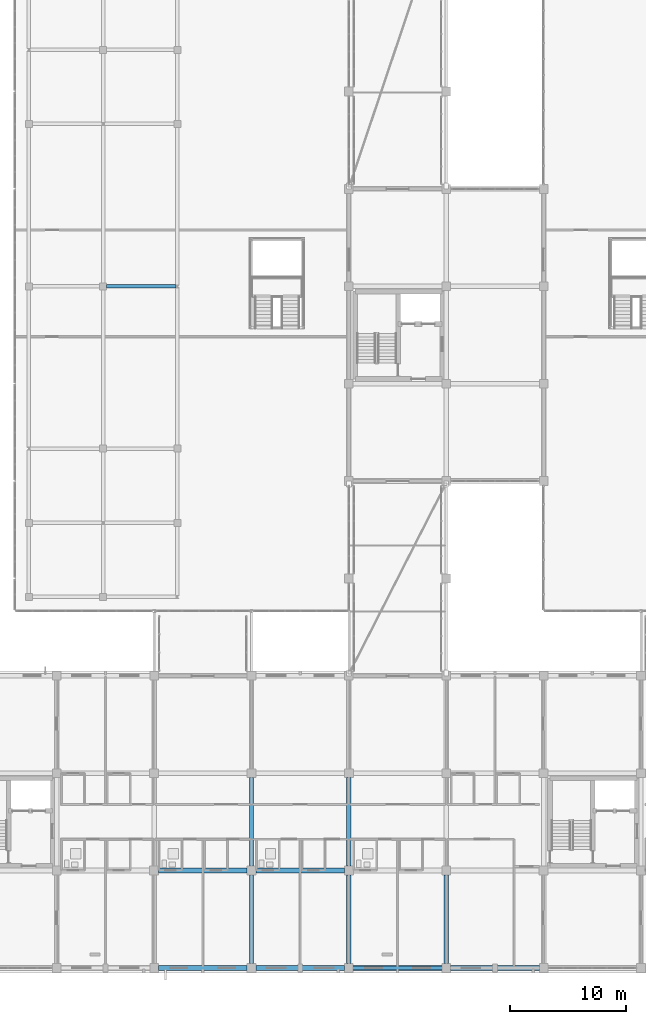
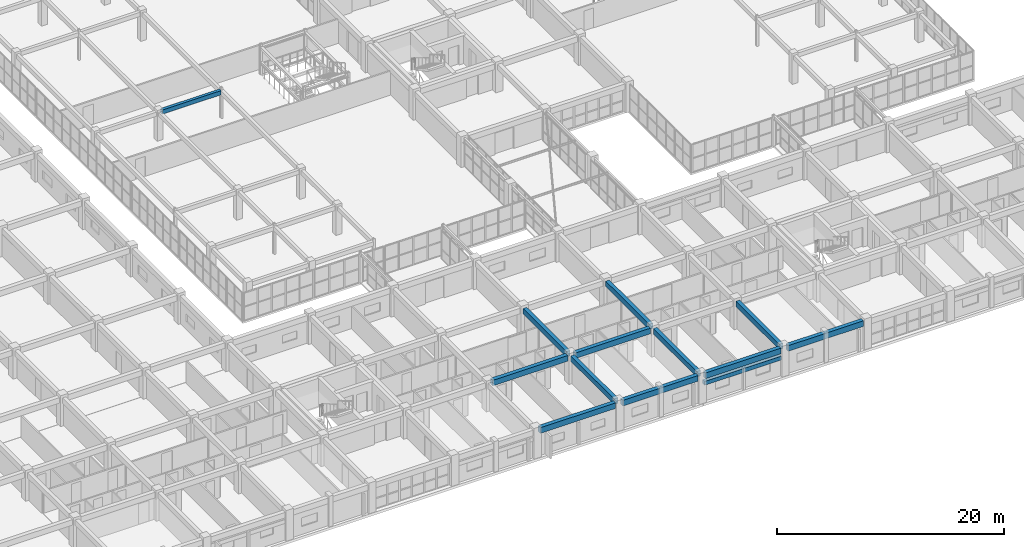
# One storey, part 44 of 200: 13 beams.
"""IFC4 building model written with IfcOpenShell, lengths in metres."""

from ifc_helpers import new_model, si_unit, direction, frame, origin, origin_2d, place, context, subcontext, project, spatial, rectangle, extrude, material, material_profile, profile_set, type_object, element, save


model = new_model("IFC4")

# Units and contexts
model_context = context("Model", 3, precision=1e-05, world=origin(), true_north=direction((0.0, 1.0)))
body_context = subcontext(model_context, "Body", "Model", "MODEL_VIEW")
ifc_project = project(units=[si_unit("LENGTHUNIT", "METRE"), si_unit("AREAUNIT", "SQUARE_METRE"), si_unit("VOLUMEUNIT", "CUBIC_METRE"), si_unit("PLANEANGLEUNIT", "RADIAN"), si_unit("MASSUNIT", "GRAM", prefix="KILO")], contexts=[model_context])

# Site, building, storey
site_placement = place(None, origin())
site = spatial("IfcSite", under=ifc_project, at=site_placement, CompositionType="ELEMENT")
building_placement = place(site_placement, origin())
building = spatial("IfcBuilding", under=site, at=building_placement, Name="Trelvath General Hospital", CompositionType="ELEMENT")
storey_placement = place(building_placement, frame((0.0, 0.0, 4.800048828125)))
storey = spatial("IfcBuildingStorey", under=building, at=storey_placement, Name="L01", CompositionType="ELEMENT", Elevation=4.800048828125)

# Beams
ifc_material_1 = material(Name="Concrete C35/45", Category="concrete")
ifc_material_profile_1 = material_profile(ifc_material_1, rectangle(XDim=0.300048828125, YDim=0.449951171875, at=origin_2d()), Name="RCB300x450")
ifc_profile_set_1 = profile_set([ifc_material_profile_1], Name="Concrete C35/45")
beam_type_1 = type_object("IfcBeamType", Name="Beam RC300x450", PredefinedType="BEAM", material=ifc_profile_set_1)
beam_1_placement = place(storey_placement, frame((54.696044921875, 58.800048828125, 2.8349609375), z_axis=(1.0, 0.0, 0.0), x_axis=(0.0, 1.0, 0.0)))
element("IfcBeam", 1, at=beam_1_placement, inside=storey, type_object=beam_type_1, Name="Cube Interior Ring Beam CUBE-W-T0 L01", PredefinedType="BEAM", context=body_context, shape_type="SweptSolid", body=[
    extrude(rectangle(XDim=0.300048828125, YDim=0.449951171875, at=origin_2d()), origin(), (0.0, 0.0, 1.0), 5.998046875),
])
ifc_material_2 = material(Name="Concrete C35/45", Category="concrete")
ifc_material_profile_2 = material_profile(ifc_material_2, rectangle(XDim=0.3798828125, YDim=0.580078125, at=origin_2d()), Name="RCB380x580")
ifc_profile_set_2 = profile_set([ifc_material_profile_2], Name="Concrete C35/45")
beam_type_2 = type_object("IfcBeamType", Name="Beam RC380x580", PredefinedType="BEAM", material=ifc_profile_set_2)
beam_2_placement = place(storey_placement, frame((67.199951171875, 0.3701171875, 2.72998046875), z_axis=(0.0, 1.0, 0.0), x_axis=(-1.0, 0.0, 0.0)))
element("IfcBeam", 2, at=beam_2_placement, inside=storey, type_object=beam_type_2, Name="Grid Beam BY-108A", PredefinedType="BEAM", context=body_context, shape_type="SweptSolid", body=[
    extrude(rectangle(XDim=0.3798828125, YDim=0.580078125, at=origin_2d()), origin(), (0.0, 0.0, 1.0), 7.65478515625),
])
beam_3_placement = place(storey_placement, frame((67.199951171875, 8.77490234375, 2.72998046875), z_axis=(0.0, 1.0, 0.0), x_axis=(-1.0, 0.0, 0.0)))
element("IfcBeam", 3, at=beam_3_placement, inside=storey, type_object=beam_type_2, Name="Grid Beam BY-108B", PredefinedType="BEAM", context=body_context, shape_type="SweptSolid", body=[
    extrude(rectangle(XDim=0.3798828125, YDim=0.580078125, at=origin_2d()), origin(), (0.0, 0.0, 1.0), 7.650146484375),
])
beam_4_placement = place(storey_placement, frame((75.60009765625, 0.3701171875, 2.72998046875), z_axis=(0.0, 1.0, 0.0), x_axis=(-1.0, 0.0, 0.0)))
element("IfcBeam", 4, at=beam_4_placement, inside=storey, type_object=beam_type_2, Name="Grid Beam BY-109A", PredefinedType="BEAM", context=body_context, shape_type="SweptSolid", body=[
    extrude(rectangle(XDim=0.3798828125, YDim=0.580078125, at=origin_2d()), origin(), (0.0, 0.0, 1.0), 7.65478515625),
])
beam_5_placement = place(storey_placement, frame((75.60009765625, 8.77490234375, 2.72998046875), z_axis=(0.0, 1.0, 0.0), x_axis=(-1.0, 0.0, 0.0)))
element("IfcBeam", 5, at=beam_5_placement, inside=storey, type_object=beam_type_2, Name="Grid Beam BY-109B", PredefinedType="BEAM", context=body_context, shape_type="SweptSolid", body=[
    extrude(rectangle(XDim=0.3798828125, YDim=0.580078125, at=origin_2d()), origin(), (0.0, 0.0, 1.0), 7.650146484375),
])
beam_6_placement = place(storey_placement, frame((84.0, 0.3701171875, 2.72998046875), z_axis=(0.0, 1.0, 0.0), x_axis=(-1.0, 0.0, 0.0)))
element("IfcBeam", 6, at=beam_6_placement, inside=storey, type_object=beam_type_2, Name="Grid Beam BY-110A", PredefinedType="BEAM", context=body_context, shape_type="SweptSolid", body=[
    extrude(rectangle(XDim=0.3798828125, YDim=0.580078125, at=origin_2d()), origin(), (0.0, 0.0, 1.0), 7.65478515625),
])
ifc_material_3 = material(Name="Concrete C35/45", Category="concrete")
ifc_material_profile_3 = material_profile(ifc_material_3, rectangle(XDim=0.39990234375, YDim=0.60009765625, at=origin_2d()), Name="RCB400x600")
ifc_profile_set_3 = profile_set([ifc_material_profile_3], Name="Concrete C35/45")
beam_type_3 = type_object("IfcBeamType", Name="Beam RC400x600", PredefinedType="BEAM", material=ifc_profile_set_3)
beam_7_placement = place(storey_placement, frame((59.169921875, 0.0, 2.719970703125), z_axis=(1.0, 0.0, 0.0), x_axis=(0.0, 1.0, 0.0)))
element("IfcBeam", 7, at=beam_7_placement, inside=storey, type_object=beam_type_3, Name="Grid Beam BX-107A", PredefinedType="BEAM", context=body_context, shape_type="SweptSolid", body=[
    extrude(rectangle(XDim=0.39990234375, YDim=0.60009765625, at=origin_2d()), origin(), (0.0, 0.0, 1.0), 7.66015625),
])
beam_8_placement = place(storey_placement, frame((59.175048828125, 8.39990234375, 2.719970703125), z_axis=(1.0, 0.0, 0.0), x_axis=(0.0, 1.0, 0.0)))
element("IfcBeam", 8, at=beam_8_placement, inside=storey, type_object=beam_type_3, Name="Grid Beam BX-107B", PredefinedType="BEAM", context=body_context, shape_type="SweptSolid", body=[
    extrude(rectangle(XDim=0.39990234375, YDim=0.60009765625, at=origin_2d()), origin(), (0.0, 0.0, 1.0), 7.64990234375),
])
beam_9_placement = place(storey_placement, frame((67.570068359375, 0.0, 2.719970703125), z_axis=(1.0, 0.0, 0.0), x_axis=(0.0, 1.0, 0.0)))
element("IfcBeam", 9, at=beam_9_placement, inside=storey, type_object=beam_type_3, Name="Grid Beam BX-108A", PredefinedType="BEAM", context=body_context, shape_type="SweptSolid", body=[
    extrude(rectangle(XDim=0.39990234375, YDim=0.60009765625, at=origin_2d()), origin(), (0.0, 0.0, 1.0), 7.659912109375),
])
beam_10_placement = place(storey_placement, frame((67.574951171875, 8.39990234375, 2.719970703125), z_axis=(1.0, 0.0, 0.0), x_axis=(0.0, 1.0, 0.0)))
element("IfcBeam", 10, at=beam_10_placement, inside=storey, type_object=beam_type_3, Name="Grid Beam BX-108B", PredefinedType="BEAM", context=body_context, shape_type="SweptSolid", body=[
    extrude(rectangle(XDim=0.39990234375, YDim=0.60009765625, at=origin_2d()), origin(), (0.0, 0.0, 1.0), 7.650146484375),
])
for number, where, z_axis, x_axis, name in (
    (11, (75.969970703125, 0.0, 2.719970703125), (1.0, 0.0, 0.0), (0.0, 1.0, 0.0), "Grid Beam BX-109A"),
    (12, (84.3701171875, 0.0, 2.719970703125), (1.0, 0.0, 0.0), (0.0, 1.0, 0.0), "Grid Beam BX-110A"),
):
    element("IfcBeam", number, at=place(storey_placement, frame(where, z_axis=z_axis, x_axis=x_axis)), inside=storey, type_object=beam_type_3, Name=name, PredefinedType="BEAM", context=body_context, shape_type="SweptSolid", body=[
        extrude(rectangle(XDim=0.39990234375, YDim=0.60009765625, at=origin_2d()), origin(), (0.0, 0.0, 1.0), 7.659912109375),
    ])
ifc_material_4 = material(Name="Precast concrete C40/50", Category="concrete")
ifc_material_profile_4 = material_profile(ifc_material_4, rectangle(XDim=0.35009765625, YDim=0.419921875, at=origin_2d()), Name="PCL350x420")
ifc_profile_set_4 = profile_set([ifc_material_profile_4], Name="Precast concrete C40/50")
beam_type_4 = type_object("IfcBeamType", Name="Lintel PC350x420", PredefinedType="LINTEL", material=ifc_profile_set_4)
beam_11_placement = place(storey_placement, frame((83.7099609375, 0.0, 1.919921875), z_axis=(-1.0, 0.0, 0.0), x_axis=(0.0, -1.0, 0.0)))
element("IfcBeam", 13, at=beam_11_placement, inside=storey, type_object=beam_type_4, Name="Precast Window Brow Lintel L01-154", PredefinedType="LINTEL", context=body_context, shape_type="SweptSolid", body=[
    extrude(rectangle(XDim=0.35009765625, YDim=0.419921875, at=origin_2d()), origin(), (0.0, 0.0, 1.0), 7.820068359375),
])

save(model, "model.ifc")
